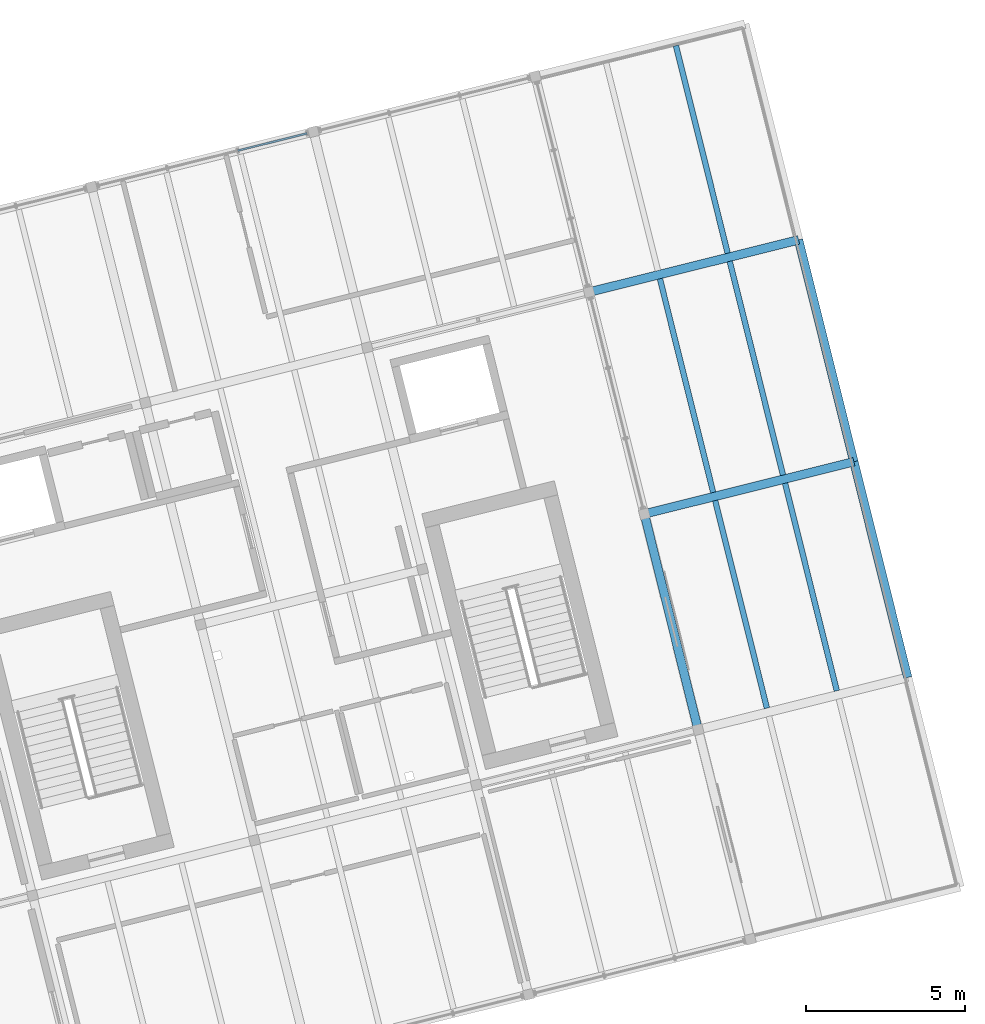
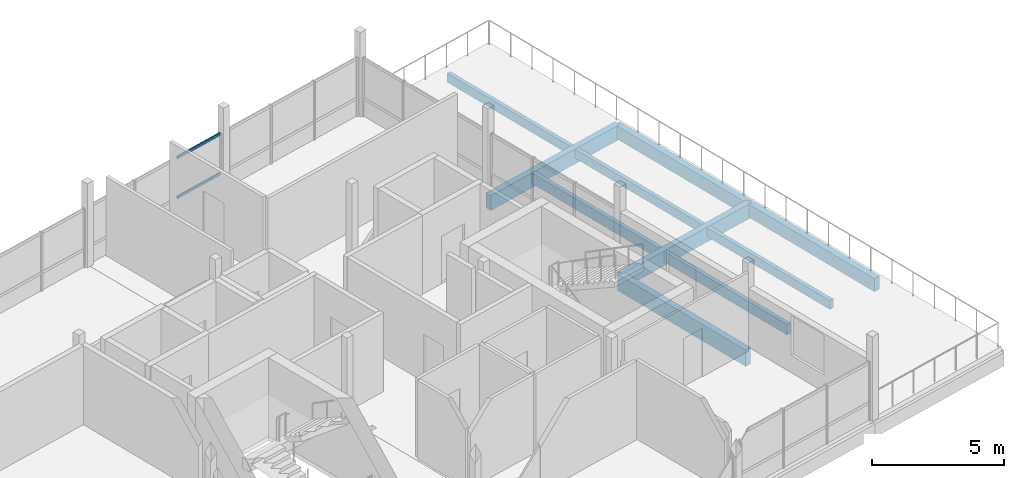
# One storey, part 18 of 24: 10 beams, 2 members, 1 element without a shape of its own.
"""IFC4 building model written with IfcOpenShell, lengths in metres."""

from ifc_helpers import new_model, si_unit, direction, frame, origin, origin_2d, place, context, subcontext, project, spatial, rectangle, hollow_rectangle, extrude, material, layer, layer_set, material_profile, profile_set, type_object, element, aggregate, save


model = new_model("IFC4")

# Units and contexts
model_context = context("Model", 3, precision=1e-05, world=origin(), true_north=direction((0.0, 1.0)))
body_context = subcontext(model_context, "Body", "Model", "MODEL_VIEW")
ifc_project = project(units=[si_unit("LENGTHUNIT", "METRE"), si_unit("AREAUNIT", "SQUARE_METRE"), si_unit("VOLUMEUNIT", "CUBIC_METRE"), si_unit("PLANEANGLEUNIT", "RADIAN"), si_unit("MASSUNIT", "GRAM", prefix="KILO")], contexts=[model_context])

# Site, building, storey
site_placement = place(None, origin())
site = spatial("IfcSite", under=ifc_project, at=site_placement, CompositionType="ELEMENT")
building_placement = place(site_placement, origin())
building = spatial("IfcBuilding", under=site, at=building_placement, Name="Meriwether Solvik Hall", CompositionType="ELEMENT")
storey_placement = place(building_placement, frame((0.0, 0.0, 57.300048828125)))
storey = spatial("IfcBuildingStorey", under=building, at=storey_placement, Name="L14", CompositionType="ELEMENT", Elevation=57.300048828125)

# Beams
ifc_material_1 = material(Name="Glulam Douglas-Fir 24F-V8 GL28h", Category="wood")
ifc_material_profile_1 = material_profile(ifc_material_1, rectangle(XDim=0.27294921875, YDim=0.610107421875, at=origin_2d()), Name="GLB-273X610")
ifc_profile_set_1 = profile_set([ifc_material_profile_1], Name="Glulam Douglas-Fir 24F-V8 GL28h")
beam_type_1 = type_object("IfcBeamType", Name="BM-GL-273X610", PredefinedType="SPANDREL", material=ifc_profile_set_1)
beam_1_placement = place(storey_placement, frame((101.885498046875, 56.507080078125, -0.525146484375), z_axis=(-0.241903692719, 0.970300264582, 0.0), x_axis=(-0.970300264582, -0.241903692719, 0.0)))
element("IfcBeam", 1, at=beam_1_placement, inside=storey, type_object=beam_type_1, Name="Tower Girder T6:TB-TC (L14)", PredefinedType="SPANDREL", context=body_context, shape_type="SweptSolid", body=[
    extrude(rectangle(XDim=0.27294921875, YDim=0.610107421875, at=origin_2d()), origin(), (0.0, 0.0, 1.0), 7.000244140625),
])
beam_2_placement = place(storey_placement, frame((100.192138671875, 63.29931640625, -0.525146484375), z_axis=(-0.241937193493, 0.970291911955, 0.0), x_axis=(-0.970291911955, -0.241937193493, 0.0)))
element("IfcBeam", 2, at=beam_2_placement, inside=storey, type_object=beam_type_1, Name="Tower Girder T6:TC-TD (L14)", PredefinedType="SPANDREL", context=body_context, shape_type="SweptSolid", body=[
    extrude(rectangle(XDim=0.27294921875, YDim=0.610107421875, at=origin_2d()), origin(), (0.0, 0.0, 1.0), 7.199951171875),
])
ifc_material_2 = material(Name="Glulam Douglas-Fir 24F-V8 GL28h", Category="wood")
ifc_material_profile_2 = material_profile(ifc_material_2, rectangle(XDim=0.27294921875, YDim=0.68505859375, at=origin_2d()), Name="GLB-273X685")
ifc_profile_set_2 = profile_set([ifc_material_profile_2], Name="Glulam Douglas-Fir 24F-V8 GL28h")
beam_type_2 = type_object("IfcBeamType", Name="BM-GL-273X685", PredefinedType="BEAM", material=ifc_profile_set_2)
beam_3_placement = place(storey_placement, frame((93.593994140625, 61.654296875, -0.5625), z_axis=(0.970298579828, 0.24191045034, 0.0), x_axis=(-0.24191045034, 0.970298579828, 0.0)))
element("IfcBeam", 3, at=beam_3_placement, inside=storey, type_object=beam_type_2, Name="Tower Girder TC:T5-T6 (L14)", PredefinedType="BEAM", context=body_context, shape_type="SweptSolid", body=[
    extrude(rectangle(XDim=0.27294921875, YDim=0.68505859375, at=origin_2d()), origin(), (0.0, 0.0, 1.0), 6.800048828125),
])
beam_4_placement = place(storey_placement, frame((91.852294921875, 68.640380859375, -0.5625), z_axis=(0.970296478685, 0.241918877831, 0.0), x_axis=(-0.241918877831, 0.970296478685, 0.0)))
element("IfcBeam", 4, at=beam_4_placement, inside=storey, type_object=beam_type_2, Name="Tower Girder TD:T5-T6 (L14)", PredefinedType="BEAM", context=body_context, shape_type="SweptSolid", body=[
    extrude(rectangle(XDim=0.27294921875, YDim=0.68505859375, at=origin_2d()), origin(), (0.0, 0.0, 1.0), 6.7998046875),
])
ifc_material_3 = material(Name="Glulam Douglas-Fir 24F-V8 GL28h", Category="wood")
ifc_material_profile_3 = material_profile(ifc_material_3, rectangle(XDim=0.27294921875, YDim=0.760009765625, at=origin_2d()), Name="GLB-273X760")
ifc_profile_set_3 = profile_set([ifc_material_profile_3], Name="Glulam Douglas-Fir 24F-V8 GL28h")
beam_type_3 = type_object("IfcBeamType", Name="BM-GL-273X760", PredefinedType="BEAM", material=ifc_profile_set_3)
beam_5_placement = place(storey_placement, frame((95.28759765625, 54.862060546875, -0.60009765625), z_axis=(-0.241936527961, 0.970292077901, 0.0), x_axis=(-0.970292077901, -0.241936527961, 0.0)))
element("IfcBeam", 5, at=beam_5_placement, inside=storey, type_object=beam_type_3, Name="Tower Girder T5:TB-TC (L14)", PredefinedType="BEAM", context=body_context, shape_type="SweptSolid", body=[
    extrude(rectangle(XDim=0.27294921875, YDim=0.760009765625, at=origin_2d()), origin(), (0.0, 0.0, 1.0), 7.000244140625),
])

# Curtain wall, members
ifc_material_4 = material(Name="Thermally Broken Anodised Aluminium 6063-T6 and Low-E Glass", Category="aluminium")
ifc_layer = layer(ifc_material_4, 0.179931640625)
ifc_layer_set = layer_set([ifc_layer], Name="Thermally Broken Anodised Aluminium 6063-T6 and Low-E Glass")
curtain_wall_type = type_object("IfcCurtainWallType", Name="CW-UNIT-B", PredefinedType="USERDEFINED", material=ifc_layer_set)
curtain_wall_placement = place(storey_placement, origin())
curtain_wall = element("IfcCurtainWall", 6, at=curtain_wall_placement, inside=storey, type_object=curtain_wall_type, Name="Curtain Wall E2_B2 (L14)", ObjectType="UNITISED CURTAIN WALL", PredefinedType="USERDEFINED")
ifc_material_5 = material(Name="Anodised Aluminium 6063-T6", Category="aluminium")
ifc_material_profile_4 = material_profile(ifc_material_5, hollow_rectangle(XDim=0.06005859375, YDim=0.1201171875, WallThickness=0.00390625, at=origin_2d()), Name="CWT-60X120")
ifc_profile_set_4 = profile_set([ifc_material_profile_4], Name="Anodised Aluminium 6063-T6")
member_type = type_object("IfcMemberType", Name="CW-TRN-60X120", PredefinedType="USERDEFINED", material=ifc_profile_set_4)
member_1_placement = place(storey_placement, frame((80.7890625, 73.09619140625, 0.8173828125), z_axis=(0.970289178123, 0.241948157292, 0.0), x_axis=(-0.241948157292, 0.970289178123, 0.0)))
member_1 = element("IfcMember", 7, at=member_1_placement, type_object=member_type, Name="Curtain Wall Transom 3-sill", ObjectType="TRANSOM", PredefinedType="USERDEFINED", context=body_context, shape_type="SweptSolid", body=[
    extrude(hollow_rectangle(XDim=0.06005859375, YDim=0.1201171875, WallThickness=0.00390625, at=origin_2d()), origin(), (0.0, 0.0, 1.0), 2.249267578125),
])
member_2_placement = place(storey_placement, frame((80.7890625, 73.09619140625, 2.6650390625), z_axis=(0.970289178123, 0.241948157292, 0.0), x_axis=(-0.241948157292, 0.970289178123, 0.0)))
member_2 = element("IfcMember", 8, at=member_2_placement, type_object=member_type, Name="Curtain Wall Transom 3-head", ObjectType="TRANSOM", PredefinedType="USERDEFINED", context=body_context, shape_type="SweptSolid", body=[
    extrude(hollow_rectangle(XDim=0.06005859375, YDim=0.1201171875, WallThickness=0.00390625, at=origin_2d()), origin(), (0.0, 0.0, 1.0), 2.249267578125),
])
aggregate(curtain_wall, [member_1, member_2])

# Beams
ifc_material_6 = material(Name="Glulam Douglas-Fir 24F-V8 GL28h", Category="wood")
ifc_material_profile_5 = material_profile(ifc_material_6, rectangle(XDim=0.175048828125, YDim=0.419921875, at=origin_2d()), Name="GLJ-175X420")
ifc_profile_set_5 = profile_set([ifc_material_profile_5], Name="Glulam Douglas-Fir 24F-V8 GL28h")
beam_type_4 = type_object("IfcBeamType", Name="JST-GL-175X420", PredefinedType="JOIST", material=ifc_profile_set_5)
beam_6_placement = place(storey_placement, frame((99.654296875, 56.08642578125, -0.429931640625), z_axis=(-0.241896058636, 0.970302167789, 0.0), x_axis=(-0.970302167789, -0.241896058636, 0.0)))
element("IfcBeam", 9, at=beam_6_placement, inside=storey, type_object=beam_type_4, Name="Glulam Floor Joist T5/TB-J2 (L14)", PredefinedType="JOIST", context=body_context, shape_type="SweptSolid", body=[
    extrude(rectangle(XDim=0.175048828125, YDim=0.419921875, at=origin_2d()), origin(), (0.0, 0.0, 1.0), 6.73681640625),
])
beam_7_placement = place(storey_placement, frame((97.9609375, 62.87841796875, -0.429931640625), z_axis=(-0.241922788949, 0.970295503539, 0.0), x_axis=(-0.970295503539, -0.241922788949, 0.0)))
element("IfcBeam", 10, at=beam_7_placement, inside=storey, type_object=beam_type_4, Name="Glulam Floor Joist T5/TC-J2 (L14)", PredefinedType="JOIST", context=body_context, shape_type="SweptSolid", body=[
    extrude(rectangle(XDim=0.175048828125, YDim=0.419921875, at=origin_2d()), origin(), (0.0, 0.0, 1.0), 6.93701171875),
])
beam_8_placement = place(storey_placement, frame((96.218994140625, 69.86474609375, -0.429931640625), z_axis=(-0.241896058636, 0.970302167789, 0.0), x_axis=(-0.970302167789, -0.241896058636, 0.0)))
element("IfcBeam", 11, at=beam_8_placement, inside=storey, type_object=beam_type_4, Name="Glulam Floor Joist T5/TD-J2 (L14)", PredefinedType="JOIST", context=body_context, shape_type="SweptSolid", body=[
    extrude(rectangle(XDim=0.175048828125, YDim=0.419921875, at=origin_2d()), origin(), (0.0, 0.0, 1.0), 6.73681640625),
])
ifc_material_7 = material(Name="Glulam Douglas-Fir 24F-V8 GL28h", Category="wood")
ifc_material_profile_6 = material_profile(ifc_material_7, rectangle(XDim=0.175048828125, YDim=0.4951171875, at=origin_2d()), Name="GLJ-175X495")
ifc_profile_set_6 = profile_set([ifc_material_profile_6], Name="Glulam Douglas-Fir 24F-V8 GL28h")
beam_type_5 = type_object("IfcBeamType", Name="JST-GL-175X495", PredefinedType="JOIST", material=ifc_profile_set_6)
beam_9_placement = place(storey_placement, frame((97.455078125, 55.5380859375, -0.467529296875), z_axis=(-0.241930176813, 0.9702936615, 0.0), x_axis=(-0.9702936615, -0.241930176813, 0.0)))
element("IfcBeam", 12, at=beam_9_placement, inside=storey, type_object=beam_type_5, Name="Glulam Floor Joist T5/TB-J1 (L14)", PredefinedType="JOIST", context=body_context, shape_type="SweptSolid", body=[
    extrude(rectangle(XDim=0.175048828125, YDim=0.4951171875, at=origin_2d()), origin(), (0.0, 0.0, 1.0), 6.737060546875),
])
beam_10_placement = place(storey_placement, frame((95.76171875, 62.330078125, -0.467529296875), z_axis=(-0.241922788949, 0.970295503539, 0.0), x_axis=(-0.970295503539, -0.241922788949, 0.0)))
element("IfcBeam", 13, at=beam_10_placement, inside=storey, type_object=beam_type_5, Name="Glulam Floor Joist T5/TC-J1 (L14)", PredefinedType="JOIST", context=body_context, shape_type="SweptSolid", body=[
    extrude(rectangle(XDim=0.175048828125, YDim=0.4951171875, at=origin_2d()), origin(), (0.0, 0.0, 1.0), 6.93701171875),
])

save(model, "model.ifc")
